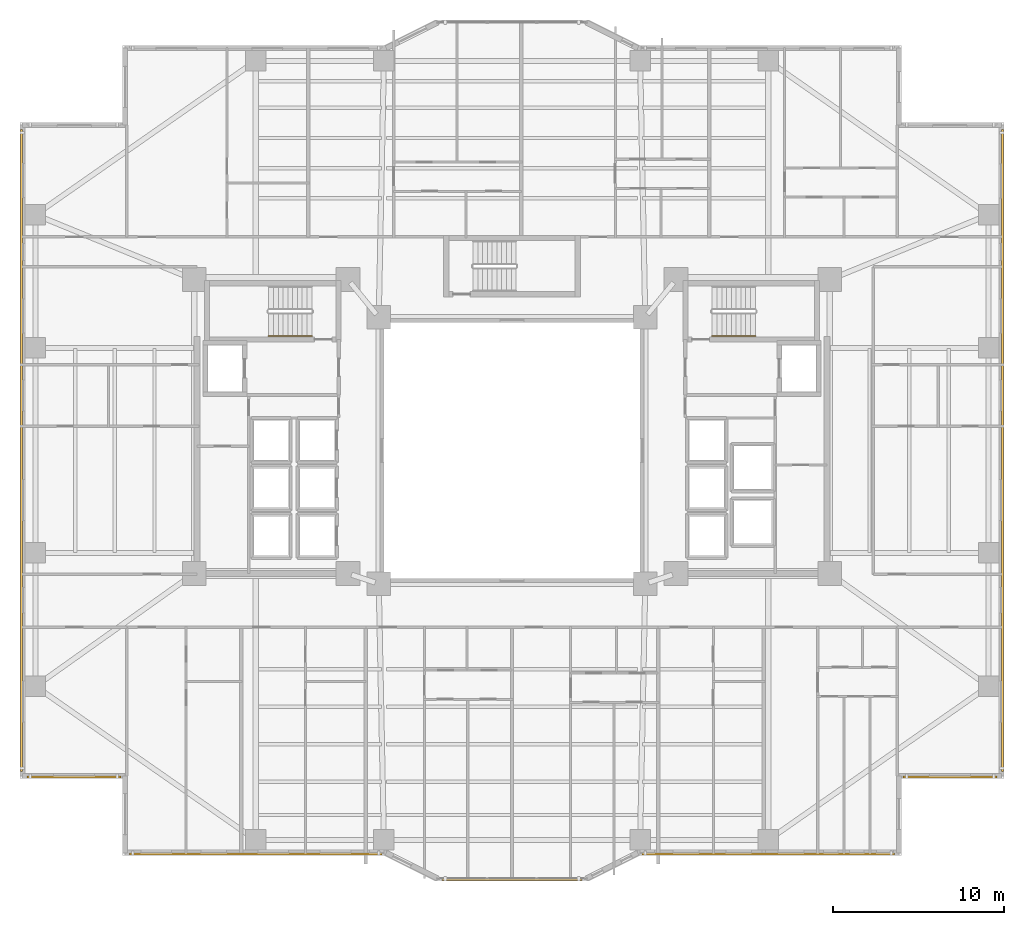
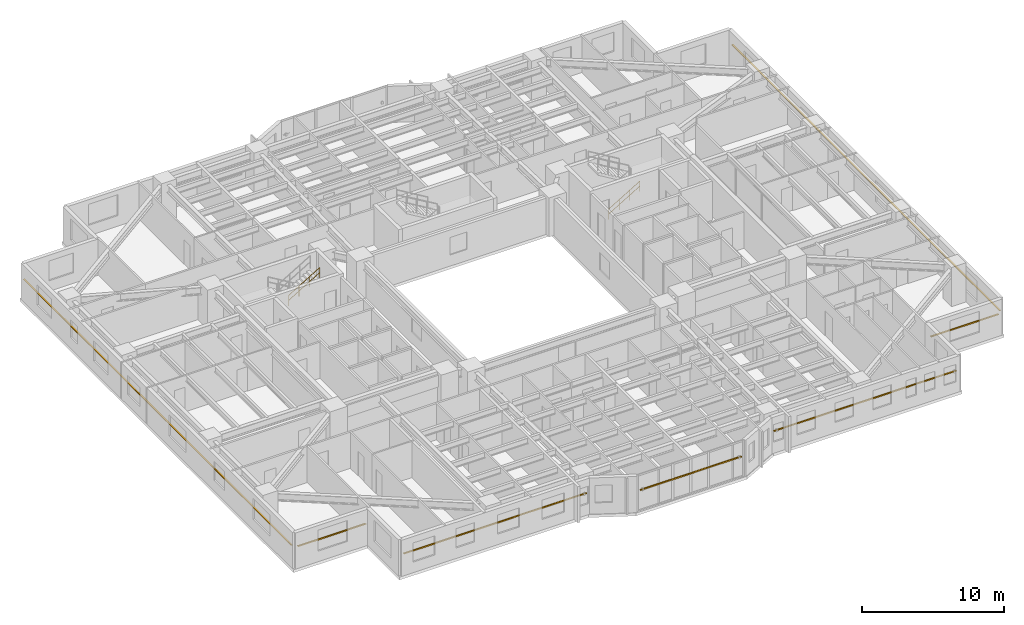
# One storey, part 19 of 21: 7 shading devices, 2 railings.
"""IFC4 building model written with IfcOpenShell, lengths in metres."""

from ifc_helpers import new_model, si_unit, direction, frame, origin, origin_2d, place, context, subcontext, project, spatial, rectangle, circle, extrude, material, material_profile, profile_set, type_object, element, save


model = new_model("IFC4")

# Units and contexts
model_context = context("Model", 3, precision=1e-05, world=origin(), true_north=direction((0.0, 1.0)))
body_context = subcontext(model_context, "Body", "Model", "MODEL_VIEW")
ifc_project = project(units=[si_unit("LENGTHUNIT", "METRE"), si_unit("AREAUNIT", "SQUARE_METRE"), si_unit("VOLUMEUNIT", "CUBIC_METRE"), si_unit("PLANEANGLEUNIT", "RADIAN"), si_unit("MASSUNIT", "GRAM", prefix="KILO")], contexts=[model_context])

# Site, building, storey
site_placement = place(None, origin())
site = spatial("IfcSite", under=ifc_project, at=site_placement, CompositionType="ELEMENT")
building_placement = place(site_placement, origin())
building = spatial("IfcBuilding", under=site, at=building_placement, Name="Tarnavaz Court Tower", CompositionType="ELEMENT")
storey_placement = place(building_placement, frame((0.0, 0.0, 24.0)))
storey = spatial("IfcBuildingStorey", under=building, at=storey_placement, Name="L05", CompositionType="ELEMENT", Elevation=24.0)

# Railings
ifc_material_1 = material(Name="Brushed Stainless Steel", Category="steel")
railing_type = type_object("IfcRailingType", Name="RL-HANDRAIL-900", PredefinedType="HANDRAIL", material=ifc_material_1)
for number, where, name in (
    (1, (-14.239990234375, 6.699951171875, 1.842529296875), "L05 ST-W1 stair handrail 2"),
    (2, (11.719970703125, 6.699951171875, 0.16748046875), "L05 ST-E1 stair handrail 1"),
):
    element("IfcRailing", number, at=place(storey_placement, frame(where)), inside=storey, type_object=railing_type, Name=name, PredefinedType="HANDRAIL", context=body_context, shape_type="SweptSolid", body=[
        extrude(circle(Radius=0.02392578125, at=origin_2d()), frame((0.0, 0.0, 0.8759765625), z_axis=(0.858159760407, 0.0, 0.513382728203), x_axis=(0.0, 1.0, 0.0)), (0.0, 0.0, 1.0), 2.9365234375),
        extrude(circle(Radius=0.02392578125, at=origin_2d()), frame((0.0, 0.0, 0.449951171875), z_axis=(0.858159760407, 0.0, 0.513382728203), x_axis=(0.0, 1.0, 0.0)), (0.0, 0.0, 1.0), 2.9365234375),
        extrude(circle(Radius=0.02099609375, at=origin_2d()), origin(), (0.0, 0.0, 1.0), 0.851806640625),
        extrude(circle(Radius=0.02099609375, at=origin_2d()), frame((0.840087890625, 0.0, 0.50244140625)), (0.0, 0.0, 1.0), 0.851806640625),
        extrude(circle(Radius=0.02099609375, at=origin_2d()), frame((1.679931640625, 0.0, 1.005126953125)), (0.0, 0.0, 1.0), 0.851806640625),
        extrude(circle(Radius=0.02099609375, at=origin_2d()), frame((2.52001953125, 0.0, 1.507568359375)), (0.0, 0.0, 1.0), 0.851806640625),
    ])

# Shading devices
ifc_material_2 = material(Name="Kiln-Fired Khorasan Terracotta Ceramic", Category="masonry")
ifc_material_profile = material_profile(ifc_material_2, rectangle(XDim=0.1201171875, YDim=0.06005859375, at=origin_2d()), Name="TC BAGUETTE 120X60")
ifc_profile_set = profile_set([ifc_material_profile], Name="Kiln-Fired Khorasan Terracotta Ceramic")
shading_device_type = type_object("IfcShadingDeviceType", Name="SD-BAG-120", PredefinedType="USERDEFINED", material=ifc_profile_set)
shading_device_1_placement = place(storey_placement, frame((-22.89990234375, -19.110107421875, 1.85009765625), z_axis=(-1.0, 0.0, 0.0), x_axis=(0.0, -1.0, 0.0)))
element("IfcShadingDevice", 3, at=shading_device_1_placement, inside=storey, type_object=shading_device_type, Name="L05 Terracotta Baguette Screen FBG01", ObjectType="BAGUETTE", PredefinedType="USERDEFINED", context=body_context, shape_type="SweptSolid", body=[
    extrude(rectangle(XDim=0.1201171875, YDim=0.06005859375, at=origin_2d()), origin(), (0.0, 0.0, 1.0), 5.5),
])
for number, where, z_axis, x_axis, name in (
    (4, (-28.7099609375, -18.800048828125, 1.85009765625), (0.0, 1.0, 0.0), (-1.0, 0.0, 0.0), "L05 Terracotta Baguette Screen FBG02"),
    (5, (28.7099609375, 18.800048828125, 1.85009765625), (0.0, -1.0, 0.0), (1.0, 0.0, 0.0), "L05 Terracotta Baguette Screen FBG12"),
):
    element("IfcShadingDevice", number, at=place(storey_placement, frame(where, z_axis=z_axis, x_axis=x_axis)), inside=storey, type_object=shading_device_type, Name=name, ObjectType="BAGUETTE", PredefinedType="USERDEFINED", context=body_context, shape_type="SweptSolid", body=[
        extrude(rectangle(XDim=0.1201171875, YDim=0.06005859375, at=origin_2d()), origin(), (0.0, 0.0, 1.0), 37.60009765625),
    ])
shading_device_2_placement = place(storey_placement, frame((28.39990234375, -19.110107421875, 1.85009765625), z_axis=(-1.0, 0.0, 0.0), x_axis=(0.0, -1.0, 0.0)))
element("IfcShadingDevice", 6, at=shading_device_2_placement, inside=storey, type_object=shading_device_type, Name="L05 Terracotta Baguette Screen FBG13", ObjectType="BAGUETTE", PredefinedType="USERDEFINED", context=body_context, shape_type="SweptSolid", body=[
    extrude(rectangle(XDim=0.1201171875, YDim=0.06005859375, at=origin_2d()), origin(), (0.0, 0.0, 1.0), 5.5),
])
shading_device_3_placement = place(storey_placement, frame((22.39990234375, -23.610107421875, 1.85009765625), z_axis=(-1.0, 0.0, 0.0), x_axis=(0.0, -1.0, 0.0)))
element("IfcShadingDevice", 7, at=shading_device_3_placement, inside=storey, type_object=shading_device_type, Name="L05 Terracotta Baguette Screen FBG15", ObjectType="BAGUETTE", PredefinedType="USERDEFINED", context=body_context, shape_type="SweptSolid", body=[
    extrude(rectangle(XDim=0.1201171875, YDim=0.06005859375, at=origin_2d()), origin(), (0.0, 0.0, 1.0), 14.7998046875),
])
shading_device_4_placement = place(storey_placement, frame((4.10009765625, -25.110107421875, 1.800048828125), z_axis=(-1.0, 0.0, 0.0), x_axis=(0.0, -1.0, 0.0)))
element("IfcShadingDevice", 8, at=shading_device_4_placement, inside=storey, type_object=shading_device_type, Name="L05 Terracotta Baguette Screen PBG17", ObjectType="BAGUETTE", PredefinedType="USERDEFINED", context=body_context, shape_type="SweptSolid", body=[
    extrude(rectangle(XDim=0.1201171875, YDim=0.06005859375, at=origin_2d()), origin(), (0.0, 0.0, 1.0), 8.2001953125),
])
shading_device_5_placement = place(storey_placement, frame((-7.60009765625, -23.610107421875, 1.85009765625), z_axis=(-1.0, 0.0, 0.0), x_axis=(0.0, -1.0, 0.0)))
element("IfcShadingDevice", 9, at=shading_device_5_placement, inside=storey, type_object=shading_device_type, Name="L05 Terracotta Baguette Screen FBG19", ObjectType="BAGUETTE", PredefinedType="USERDEFINED", context=body_context, shape_type="SweptSolid", body=[
    extrude(rectangle(XDim=0.1201171875, YDim=0.06005859375, at=origin_2d()), origin(), (0.0, 0.0, 1.0), 14.7998046875),
])

save(model, "model.ifc")
